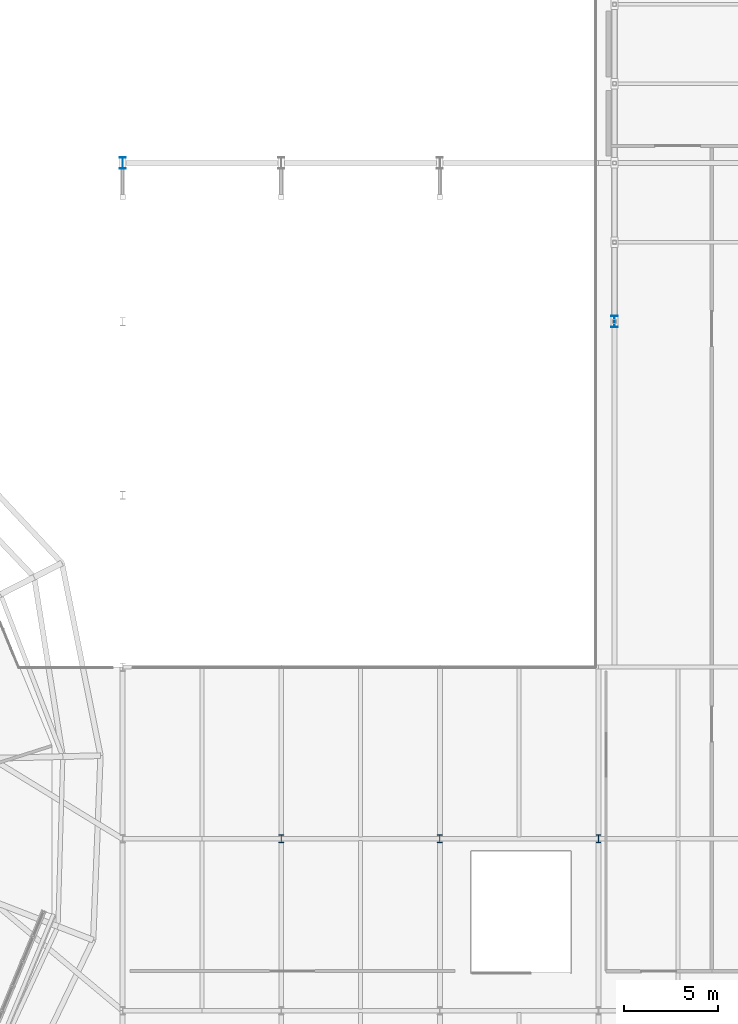
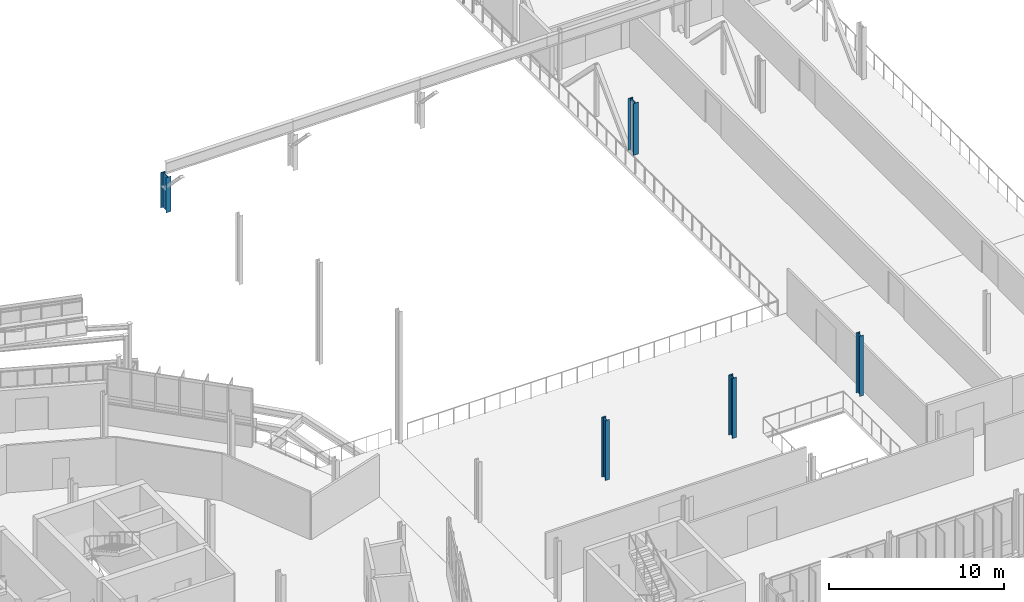
# One storey, part 7 of 107: 5 columns.
"""IFC4 building model written with IfcOpenShell, lengths in metres."""

from ifc_helpers import new_model, si_unit, derived_unit, direction, frame, origin, origin_2d, place, context, subcontext, project, spatial, i_section, extrude, material, material_profile, profile_set, type_object, element, save


model = new_model("IFC4")

# Units and contexts
model_context = context("Model", 3, precision=1e-05, world=origin(), true_north=direction((0.0, 1.0)))
body_context = subcontext(model_context, "Body", "Model", "MODEL_VIEW")
ifc_project = project(units=[si_unit("LENGTHUNIT", "METRE"), si_unit("AREAUNIT", "SQUARE_METRE"), si_unit("VOLUMEUNIT", "CUBIC_METRE"), si_unit("PLANEANGLEUNIT", "RADIAN"), si_unit("MASSUNIT", "GRAM", prefix="KILO"), derived_unit("THERMALTRANSMITTANCEUNIT", [(si_unit("MASSUNIT", "GRAM", prefix="KILO"), 1), (si_unit("TIMEUNIT", "SECOND"), -3), (si_unit("THERMODYNAMICTEMPERATUREUNIT", "KELVIN"), -1)])], contexts=[model_context])

# Site, building, storey
site_placement = place(None, origin())
site = spatial("IfcSite", under=ifc_project, at=site_placement, CompositionType="ELEMENT")
building_placement = place(site_placement, origin())
building = spatial("IfcBuilding", under=site, at=building_placement, Name="Makaiwela Harbour Ferry Terminal", CompositionType="ELEMENT")
storey_placement = place(building_placement, frame((0.0, 0.0, 9.60009765625)))
storey = spatial("IfcBuildingStorey", under=building, at=storey_placement, Name="L02", CompositionType="ELEMENT", Elevation=9.60009765625)

# Columns
ifc_material = material(Name="Steel ASTM A992 Grade 50", Category="steel")
ifc_material_profile_1 = material_profile(ifc_material, i_section(OverallWidth=0.260986328125, OverallDepth=0.4189453125, WebThickness=0.01171875, FlangeThickness=0.019287109375, at=origin_2d()), Name="W16X77")
ifc_profile_set_1 = profile_set([ifc_material_profile_1], Name="Steel ASTM A992 Grade 50")
column_type_1 = type_object("IfcColumnType", Name="STR-COL-W16X77", PredefinedType="COLUMN", material=ifc_profile_set_1)
for number, where, z_axis, x_axis, name in (
    (1, (71.39990234375, 67.60009765625, 0.0), (0.0, 0.0, 1.0), (1.0, 0.0, 0.0), "Structural Column C-04"),
    (2, (79.800048828125, 67.60009765625, 0.0), (0.0, 0.0, 1.0), (1.0, 0.0, 0.0), "Structural Column C-04"),
    (3, (88.199951171875, 67.60009765625, 0.0), (0.0, 0.0, 1.0), (1.0, 0.0, 0.0), "Structural Column C-04"),
):
    element("IfcColumn", number, at=place(storey_placement, frame(where, z_axis=z_axis, x_axis=x_axis)), inside=storey, type_object=column_type_1, Name=name, PredefinedType="COLUMN", context=body_context, shape_type="SweptSolid", body=[
        extrude(i_section(OverallWidth=0.260986328125, OverallDepth=0.4189453125, WebThickness=0.01171875, FlangeThickness=0.019287109375, at=origin_2d()), origin(), (0.0, 0.0, 1.0), 4.199951171875),
    ])
ifc_material_profile_2 = material_profile(ifc_material, i_section(OverallWidth=0.324951171875, OverallDepth=0.615966796875, WebThickness=0.013916015625, FlangeThickness=0.021484375, at=origin_2d()), Name="W24X117")
ifc_profile_set_2 = profile_set([ifc_material_profile_2], Name="Steel ASTM A992 Grade 50")
column_type_2 = type_object("IfcColumnType", Name="STR-COL-W24X117", PredefinedType="COLUMN", material=ifc_profile_set_2)
column_1_placement = place(storey_placement, frame((89.050048828125, 95.0, 0.0), z_axis=(0.0, 0.0, 1.0), x_axis=(1.0, 0.0, 0.0)))
element("IfcColumn", 4, at=column_1_placement, inside=storey, type_object=column_type_2, Name="Structural Column C-02", PredefinedType="COLUMN", context=body_context, shape_type="SweptSolid", body=[
    extrude(i_section(OverallWidth=0.324951171875, OverallDepth=0.615966796875, WebThickness=0.013916015625, FlangeThickness=0.021484375, at=origin_2d()), origin(), (0.0, 0.0, 1.0), 3.619873046875),
])
column_2_placement = place(storey_placement, frame((63.0, 103.39990234375, 0.0), z_axis=(0.0, 0.0, 1.0), x_axis=(1.0, 0.0, 0.0)))
element("IfcColumn", 5, at=column_2_placement, inside=storey, type_object=column_type_2, Name="Structural Column C-02", PredefinedType="COLUMN", context=body_context, shape_type="SweptSolid", body=[
    extrude(i_section(OverallWidth=0.324951171875, OverallDepth=0.615966796875, WebThickness=0.013916015625, FlangeThickness=0.021484375, at=origin_2d()), origin(), (0.0, 0.0, 1.0), 2.472900390625),
])

save(model, "model.ifc")
